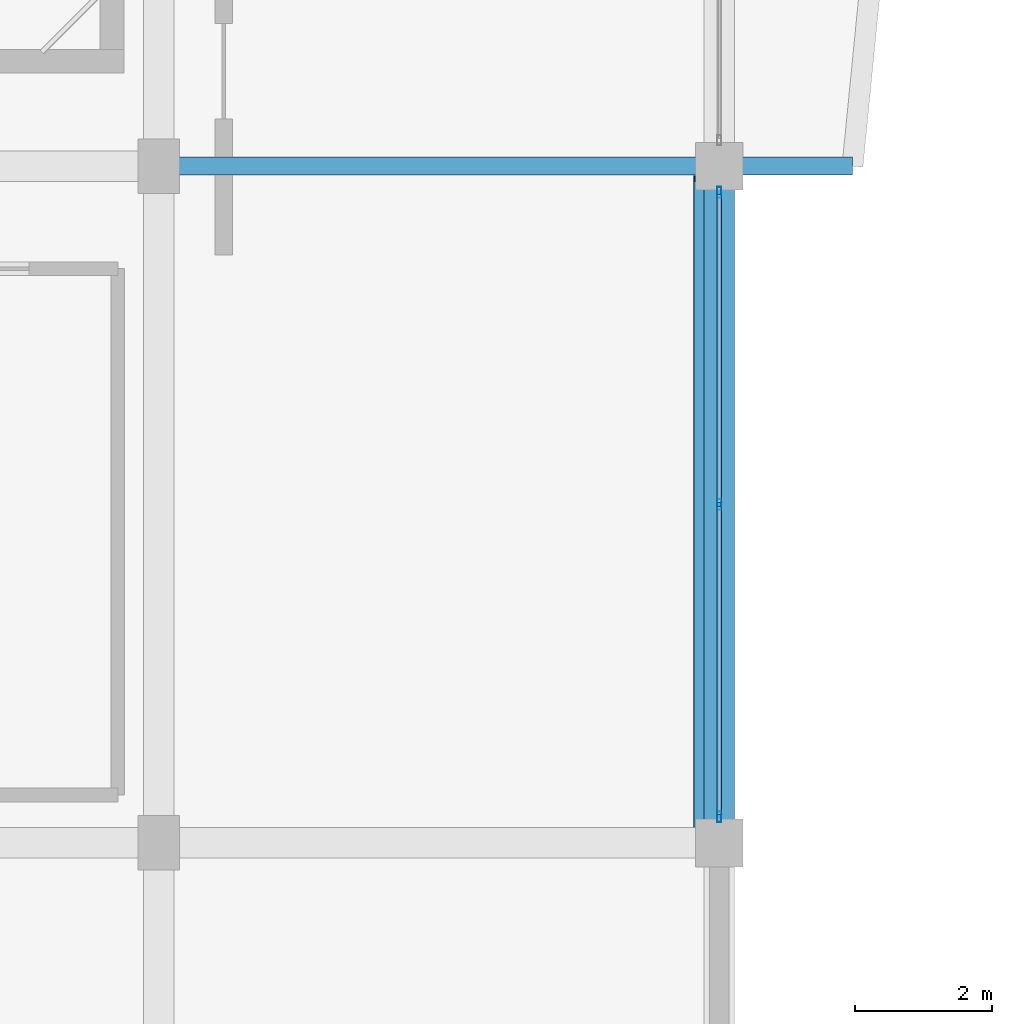
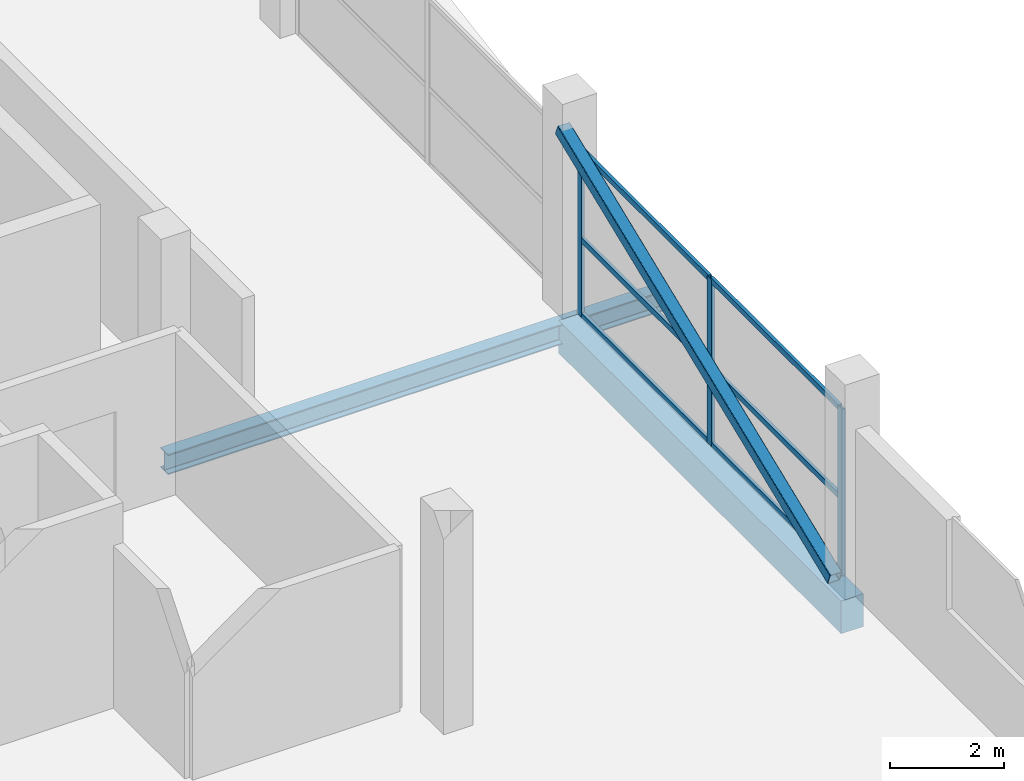
# One storey, part 13 of 58: 10 members, 2 beams, 1 element without a shape of its own.
"""IFC4 building model written with IfcOpenShell, lengths in metres."""

from ifc_helpers import new_model, si_unit, direction, frame, origin, origin_2d, place, context, subcontext, project, spatial, rectangle, hollow_rectangle, i_section, extrude, material, layer, layer_set, material_profile, profile_set, type_object, element, aggregate, save


model = new_model("IFC4")

# Units and contexts
model_context = context("Model", 3, precision=1e-05, world=origin(), true_north=direction((0.0, 1.0)))
body_context = subcontext(model_context, "Body", "Model", "MODEL_VIEW")
ifc_project = project(units=[si_unit("LENGTHUNIT", "METRE"), si_unit("AREAUNIT", "SQUARE_METRE"), si_unit("VOLUMEUNIT", "CUBIC_METRE"), si_unit("PLANEANGLEUNIT", "RADIAN"), si_unit("MASSUNIT", "GRAM", prefix="KILO")], contexts=[model_context])

# Site, building, storey
site_placement = place(None, origin())
site = spatial("IfcSite", under=ifc_project, at=site_placement, CompositionType="ELEMENT")
building_placement = place(site_placement, origin())
building = spatial("IfcBuilding", under=site, at=building_placement, Name="Sillaruma Civic Art Gallery", CompositionType="ELEMENT")
storey_placement = place(building_placement, frame((0.0, 0.0, 28.56005859375)))
storey = spatial("IfcBuildingStorey", under=building, at=storey_placement, Name="L05", CompositionType="ELEMENT", Elevation=28.56005859375)

# Beams
ifc_material_1 = material(Name="Structural Steel ASTM A992 Gr.50", Category="steel")
ifc_material_profile_1 = material_profile(ifc_material_1, i_section(OverallWidth=0.264892578125, OverallDepth=0.430908203125, WebThickness=0.014892578125, FlangeThickness=0.02490234375, FilletRadius=0.012939453125, at=origin_2d()), Name="W410x149")
ifc_profile_set_1 = profile_set([ifc_material_profile_1], Name="Structural Steel ASTM A992 Gr.50")
beam_type_1 = type_object("IfcBeamType", Name="BM-PROW-W410x149", PredefinedType="BEAM", material=ifc_profile_set_1)
beam_1_placement = place(storey_placement, frame((106.199951171875, 49.5, -0.49560546875), z_axis=(1.0, 0.0, 0.0), x_axis=(0.0, 1.0, 0.0)))
element("IfcBeam", 1, at=beam_1_placement, inside=storey, type_object=beam_type_1, Name="Back-Spanned Prow Beam (PRW-L04-E-ROF-S)", PredefinedType="BEAM", context=body_context, shape_type="SweptSolid", body=[
    extrude(i_section(OverallWidth=0.264892578125, OverallDepth=0.430908203125, WebThickness=0.014892578125, FlangeThickness=0.02490234375, FilletRadius=0.012939453125, at=origin_2d()), origin(), (0.0, 0.0, 1.0), 10.150146484375),
])
ifc_material_2 = material(Name="Concrete H35 (35 MPa)", Category="concrete")
ifc_material_profile_2 = material_profile(ifc_material_2, rectangle(XDim=0.449951171875, YDim=0.699951171875, at=origin_2d()), Name="RCB450x700")
ifc_profile_set_2 = profile_set([ifc_material_profile_2], Name="Concrete H35 (35 MPa)")
beam_type_2 = type_object("IfcBeamType", Name="BM-SPANDREL-RCB450x700", PredefinedType="SPANDREL", material=ifc_profile_set_2)
beam_2_placement = place(storey_placement, frame((114.39990234375, 39.60009765625, -0.630126953125), z_axis=(0.0, 1.0, 0.0), x_axis=(-1.0, 0.0, 0.0)))
element("IfcBeam", 2, at=beam_2_placement, inside=storey, type_object=beam_type_2, Name="Beam BS-03 (L04:N:5-6)", PredefinedType="SPANDREL", context=body_context, shape_type="SweptSolid", body=[
    extrude(rectangle(XDim=0.449951171875, YDim=0.699951171875, at=origin_2d()), origin(), (0.0, 0.0, 1.0), 9.89990234375),
])

# Member
ifc_material_3 = material(Name="Structural Steel ASTM A500 Gr.C", Category="steel")
ifc_material_profile_3 = material_profile(ifc_material_3, hollow_rectangle(XDim=0.25, YDim=0.25, WallThickness=0.012451171875, InnerFilletRadius=0.012451171875, OuterFilletRadius=0.02490234375, at=origin_2d()), Name="HSS250x250x12.5")
ifc_profile_set_3 = profile_set([ifc_material_profile_3], Name="Structural Steel ASTM A500 Gr.C")
member_type_1 = type_object("IfcMemberType", Name="MEM-MEGA-BRACE", PredefinedType="BRACE", material=ifc_profile_set_3)
member_1_placement = place(storey_placement, frame((114.14990234375, 39.780029296875, 0.119873046875), z_axis=(0.0, 0.928004243674, 0.372569622652), x_axis=(-1.0, 0.0, 0.0)))
element("IfcMember", 3, at=member_1_placement, inside=storey, type_object=member_type_1, Name="Gallery Spine Diagonal Steel Brace (L05-E1)", PredefinedType="BRACE", context=body_context, shape_type="SweptSolid", body=[
    extrude(hollow_rectangle(XDim=0.25, YDim=0.25, WallThickness=0.012451171875, InnerFilletRadius=0.012451171875, OuterFilletRadius=0.02490234375, at=origin_2d()), origin(), (0.0, 0.0, 1.0), 10.2802734375),
])

# Curtain wall, members
ifc_material_4 = material(Name="Thermally Broken Extruded Aluminium 6063-T6", Category="aluminium")
ifc_layer = layer(ifc_material_4, 0.159912109375, Name="Thermally Broken Extruded Aluminium 6063-T6")
ifc_layer_set = layer_set([ifc_layer], Name="Thermally Broken Extruded Aluminium 6063-T6")
curtain_wall_type = type_object("IfcCurtainWallType", Name="CW-UNI-30", PredefinedType="NOTDEFINED", material=ifc_layer_set)
curtain_wall_placement = place(storey_placement, origin())
curtain_wall = element("IfcCurtainWall", 4, at=curtain_wall_placement, inside=storey, type_object=curtain_wall_type, Name="Unitised Curtain Wall CW-30 (CW-L05-E-3)", PredefinedType="NOTDEFINED")
ifc_material_profile_4 = material_profile(ifc_material_4, hollow_rectangle(XDim=0.06494140625, YDim=0.159912109375, WallThickness=0.00390625, at=origin_2d()), Name="CWM65x160")
ifc_profile_set_4 = profile_set([ifc_material_profile_4], Name="Thermally Broken Extruded Aluminium 6063-T6")
member_type_2 = type_object("IfcMemberType", Name="MEM-MUL-CWM65x160", PredefinedType="MULLION", material=ifc_profile_set_4)
member_2_placement = place(storey_placement, frame((114.39990234375, 39.982421875, 0.0), z_axis=(0.0, 0.0, 1.0), x_axis=(-1.0, 0.0, 0.0)))
member_2 = element("IfcMember", 5, at=member_2_placement, type_object=member_type_2, Name="CW-30 mullion 1", PredefinedType="MULLION", context=body_context, shape_type="SweptSolid", body=[
    extrude(hollow_rectangle(XDim=0.06494140625, YDim=0.159912109375, WallThickness=0.00390625, at=origin_2d()), origin(), (0.0, 0.0, 1.0), 3.56982421875),
])
member_3_placement = place(storey_placement, frame((114.39990234375, 44.550048828125, 0.0), z_axis=(0.0, 0.0, 1.0), x_axis=(-1.0, 0.0, 0.0)))
member_3 = element("IfcMember", 6, at=member_3_placement, type_object=member_type_2, Name="CW-30 mullion 2", PredefinedType="MULLION", context=body_context, shape_type="SweptSolid", body=[
    extrude(hollow_rectangle(XDim=0.06494140625, YDim=0.159912109375, WallThickness=0.00390625, at=origin_2d()), origin(), (0.0, 0.0, 1.0), 3.56982421875),
])
member_4_placement = place(storey_placement, frame((114.39990234375, 49.117431640625, 0.0), z_axis=(0.0, 0.0, 1.0), x_axis=(-1.0, 0.0, 0.0)))
member_4 = element("IfcMember", 7, at=member_4_placement, type_object=member_type_2, Name="CW-30 mullion 3", PredefinedType="MULLION", context=body_context, shape_type="SweptSolid", body=[
    extrude(hollow_rectangle(XDim=0.06494140625, YDim=0.159912109375, WallThickness=0.00390625, at=origin_2d()), origin(), (0.0, 0.0, 1.0), 3.56982421875),
])
ifc_material_profile_5 = material_profile(ifc_material_4, hollow_rectangle(XDim=0.06494140625, YDim=0.1201171875, WallThickness=0.00341796875, at=origin_2d()), Name="CWT65x120")
ifc_profile_set_5 = profile_set([ifc_material_profile_5], Name="Thermally Broken Extruded Aluminium 6063-T6")
member_type_3 = type_object("IfcMemberType", Name="MEM-TRN-CWT65x120", PredefinedType="USERDEFINED", material=ifc_profile_set_5)
member_5_placement = place(storey_placement, frame((114.39990234375, 40.014892578125, 0.032470703125), z_axis=(0.0, 1.0, 0.0), x_axis=(-1.0, 0.0, 0.0)))
member_5 = element("IfcMember", 8, at=member_5_placement, type_object=member_type_3, Name="CW-30 transom 1.1", ObjectType="TRANSOM", PredefinedType="USERDEFINED", context=body_context, shape_type="SweptSolid", body=[
    extrude(hollow_rectangle(XDim=0.06494140625, YDim=0.1201171875, WallThickness=0.00341796875, at=origin_2d()), origin(), (0.0, 0.0, 1.0), 4.502685546875),
])
member_6_placement = place(storey_placement, frame((114.39990234375, 40.014892578125, 1.64208984375), z_axis=(0.0, 1.0, 0.0), x_axis=(-1.0, 0.0, 0.0)))
member_6 = element("IfcMember", 9, at=member_6_placement, type_object=member_type_3, Name="CW-30 transom 1.2", ObjectType="TRANSOM", PredefinedType="USERDEFINED", context=body_context, shape_type="SweptSolid", body=[
    extrude(hollow_rectangle(XDim=0.06494140625, YDim=0.1201171875, WallThickness=0.00341796875, at=origin_2d()), origin(), (0.0, 0.0, 1.0), 4.502685546875),
])
member_7_placement = place(storey_placement, frame((114.39990234375, 40.014892578125, 3.537353515625), z_axis=(0.0, 1.0, 0.0), x_axis=(-1.0, 0.0, 0.0)))
member_7 = element("IfcMember", 10, at=member_7_placement, type_object=member_type_3, Name="CW-30 transom 1.3", ObjectType="TRANSOM", PredefinedType="USERDEFINED", context=body_context, shape_type="SweptSolid", body=[
    extrude(hollow_rectangle(XDim=0.06494140625, YDim=0.1201171875, WallThickness=0.00341796875, at=origin_2d()), origin(), (0.0, 0.0, 1.0), 4.502685546875),
])
member_8_placement = place(storey_placement, frame((114.39990234375, 44.58251953125, 0.032470703125), z_axis=(0.0, 1.0, 0.0), x_axis=(-1.0, 0.0, 0.0)))
member_8 = element("IfcMember", 11, at=member_8_placement, type_object=member_type_3, Name="CW-30 transom 2.1", ObjectType="TRANSOM", PredefinedType="USERDEFINED", context=body_context, shape_type="SweptSolid", body=[
    extrude(hollow_rectangle(XDim=0.06494140625, YDim=0.1201171875, WallThickness=0.00341796875, at=origin_2d()), origin(), (0.0, 0.0, 1.0), 4.50244140625),
])
member_9_placement = place(storey_placement, frame((114.39990234375, 44.58251953125, 1.64208984375), z_axis=(0.0, 1.0, 0.0), x_axis=(-1.0, 0.0, 0.0)))
member_9 = element("IfcMember", 12, at=member_9_placement, type_object=member_type_3, Name="CW-30 transom 2.2", ObjectType="TRANSOM", PredefinedType="USERDEFINED", context=body_context, shape_type="SweptSolid", body=[
    extrude(hollow_rectangle(XDim=0.06494140625, YDim=0.1201171875, WallThickness=0.00341796875, at=origin_2d()), origin(), (0.0, 0.0, 1.0), 4.50244140625),
])
member_10_placement = place(storey_placement, frame((114.39990234375, 44.58251953125, 3.537353515625), z_axis=(0.0, 1.0, 0.0), x_axis=(-1.0, 0.0, 0.0)))
member_10 = element("IfcMember", 13, at=member_10_placement, type_object=member_type_3, Name="CW-30 transom 2.3", ObjectType="TRANSOM", PredefinedType="USERDEFINED", context=body_context, shape_type="SweptSolid", body=[
    extrude(hollow_rectangle(XDim=0.06494140625, YDim=0.1201171875, WallThickness=0.00341796875, at=origin_2d()), origin(), (0.0, 0.0, 1.0), 4.50244140625),
])
aggregate(curtain_wall, [member_2, member_3, member_4, member_5, member_6, member_7, member_8, member_9, member_10])

save(model, "model.ifc")
